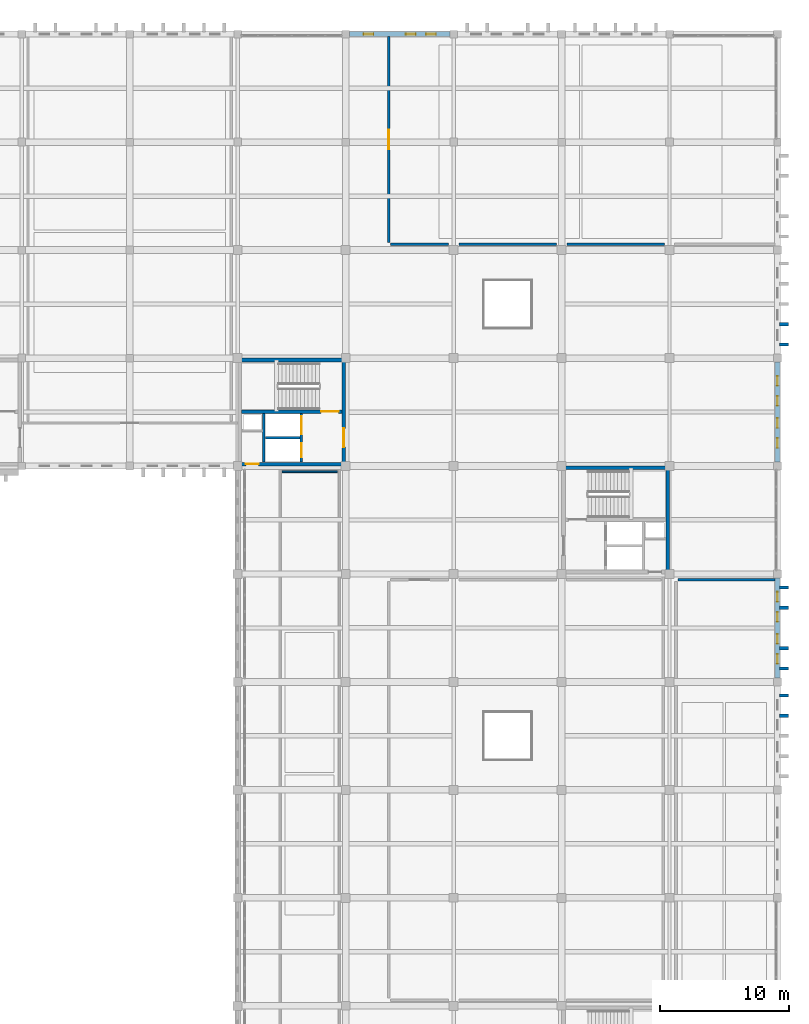
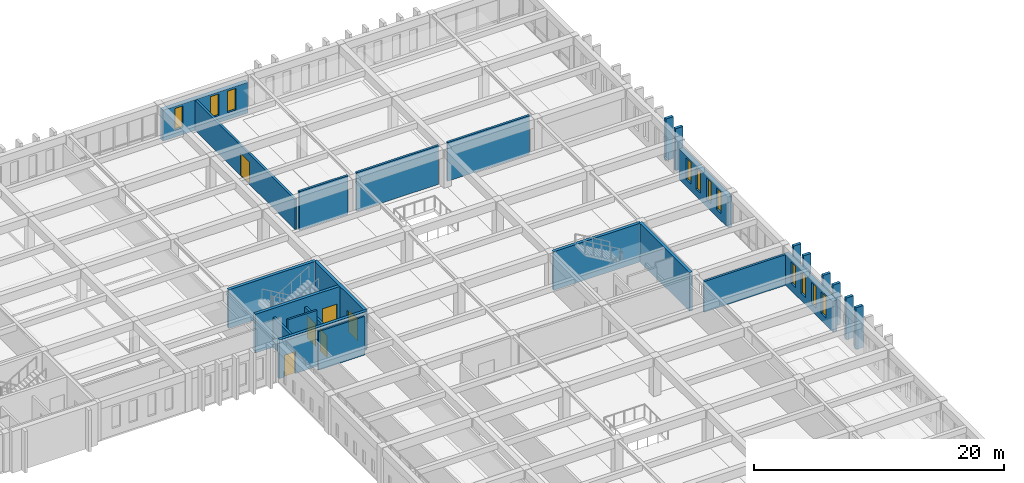
# One storey, part 99 of 110: 26 walls, 11 windows, 6 doors, 17 openings.
"""IFC4 building model written with IfcOpenShell, lengths in metres."""

from ifc_helpers import new_model, si_unit, direction, frame, frame_2d, origin, place, context, subcontext, project, spatial, rectangle, extrude, material, layer, layer_set, type_object, element, fill, save


model = new_model("IFC4")

# Units and contexts
model_context = context("Model", 3, precision=1e-05, world=origin(), true_north=direction((0.0, 1.0)))
body_context = subcontext(model_context, "Body", "Model", "MODEL_VIEW")
ifc_project = project(units=[si_unit("LENGTHUNIT", "METRE"), si_unit("AREAUNIT", "SQUARE_METRE"), si_unit("VOLUMEUNIT", "CUBIC_METRE"), si_unit("PLANEANGLEUNIT", "RADIAN"), si_unit("MASSUNIT", "GRAM", prefix="KILO")], contexts=[model_context])

# Site, building, storey
site_placement = place(None, origin())
site = spatial("IfcSite", under=ifc_project, at=site_placement, CompositionType="ELEMENT")
building_placement = place(site_placement, origin())
building = spatial("IfcBuilding", under=site, at=building_placement, Name="Kveldsbrygga Polytechnic", CompositionType="ELEMENT")
storey_placement = place(building_placement, frame((0.0, 0.0, 9.860107421875)))
storey = spatial("IfcBuildingStorey", under=building, at=storey_placement, Name="L02", CompositionType="ELEMENT", Elevation=9.860107421875)

# Wall, openings, windows
ifc_material_1 = material(Name="Fired clay brick masonry M10", Category="masonry")
ifc_layer_1 = layer(ifc_material_1, 0.39990234375)
ifc_layer_set_1 = layer_set([ifc_layer_1], Name="Fired clay brick masonry M10")
wall_type_1 = type_object("IfcWallType", Name="EW-BRICK-400", PredefinedType="SOLIDWALL", material=ifc_layer_set_1)
wall_1_placement = place(storey_placement, frame((134.68505859375, 117.60009765625, 0.0), z_axis=(0.0, 0.0, 1.0), x_axis=(1.0, 0.0, 0.0)))
wall_1 = element("IfcWall", 1, at=wall_1_placement, inside=storey, type_object=wall_type_1, Name="Exterior Brick Wall EW-L02-X-16-14", PredefinedType="SOLIDWALL", context=body_context, shape_type="SweptSolid", body=[
    extrude(rectangle(XDim=7.83984375, YDim=0.39990234375, at=frame_2d((3.919921875, 0.0))), origin(), (0.0, 0.0, 1.0), 3.010009765625),
])
opening_1_placement = place(wall_1_placement, frame((1.114501953125, 0.0, 0.699951171875)))
opening_1 = element("IfcOpeningElement", 2, at=opening_1_placement, cuts=wall_1, Name="Opening W-27", PredefinedType="OPENING", context=body_context, shape_type="SweptSolid", body=[
    extrude(rectangle(XDim=0.75, YDim=2.10009765625, at=frame_2d((0.375, 1.050048828125))), frame((0.0, 0.2099609375, 0.0), z_axis=(0.0, -1.0, 0.0), x_axis=(1.0, 0.0, 0.0)), (0.0, 0.0, 1.0), 0.419921875),
])
opening_2_placement = place(wall_1_placement, frame((4.407470703125, 0.0, 0.699951171875)))
opening_2 = element("IfcOpeningElement", 3, at=opening_2_placement, cuts=wall_1, Name="Opening W-27", PredefinedType="OPENING", context=body_context, shape_type="SweptSolid", body=[
    extrude(rectangle(XDim=0.75, YDim=2.10009765625, at=frame_2d((0.375, 1.050048828125))), frame((0.0, 0.2099609375, 0.0), z_axis=(0.0, -1.0, 0.0), x_axis=(1.0, 0.0, 0.0)), (0.0, 0.0, 1.0), 0.419921875),
])
opening_3_placement = place(wall_1_placement, frame((5.975341796875, 0.0, 0.699951171875)))
opening_3 = element("IfcOpeningElement", 4, at=opening_3_placement, cuts=wall_1, Name="Opening W-27", PredefinedType="OPENING", context=body_context, shape_type="SweptSolid", body=[
    extrude(rectangle(XDim=0.75, YDim=2.10009765625, at=frame_2d((0.375, 1.050048828125))), frame((0.0, 0.2099609375, 0.0), z_axis=(0.0, -1.0, 0.0), x_axis=(1.0, 0.0, 0.0)), (0.0, 0.0, 1.0), 0.419921875),
])
ifc_material_2 = material(Name="Insulated triple low-E glass", Category="glass")
window_type = type_object("IfcWindowType", Name="WN-ATTIC-075x210", PartitioningType="DOUBLE_PANEL_VERTICAL", PredefinedType="WINDOW", material=ifc_material_2)
window_1_placement = place(opening_1_placement, origin())
window_1 = element("IfcWindow", 5, at=window_1_placement, inside=storey, type_object=window_type, Name="Gothic Lancet Window WIN-L02-X-16-14-1", OverallHeight=2.10009765625, OverallWidth=0.75, PartitioningType="DOUBLE_PANEL_VERTICAL", PredefinedType="WINDOW", context=body_context, shape_type="SweptSolid", body=[
    extrude(rectangle(XDim=0.75, YDim=2.10009765625, at=frame_2d((0.375, 1.050048828125))), frame((0.0, 0.030029296875, 0.0), z_axis=(0.0, -1.0, 0.0), x_axis=(1.0, 0.0, 0.0)), (0.0, 0.0, 1.0), 0.06005859375),
])
fill(opening_1, window_1)
window_2_placement = place(opening_2_placement, origin())
window_2 = element("IfcWindow", 6, at=window_2_placement, inside=storey, type_object=window_type, Name="Gothic Lancet Window WIN-L02-X-16-14-3", OverallHeight=2.10009765625, OverallWidth=0.75, PartitioningType="DOUBLE_PANEL_VERTICAL", PredefinedType="WINDOW", context=body_context, shape_type="SweptSolid", body=[
    extrude(rectangle(XDim=0.75, YDim=2.10009765625, at=frame_2d((0.375, 1.050048828125))), frame((0.0, 0.030029296875, 0.0), z_axis=(0.0, -1.0, 0.0), x_axis=(1.0, 0.0, 0.0)), (0.0, 0.0, 1.0), 0.06005859375),
])
fill(opening_2, window_2)
window_3_placement = place(opening_3_placement, origin())
window_3 = element("IfcWindow", 7, at=window_3_placement, inside=storey, type_object=window_type, Name="Gothic Lancet Window WIN-L02-X-16-14-4", OverallHeight=2.10009765625, OverallWidth=0.75, PartitioningType="DOUBLE_PANEL_VERTICAL", PredefinedType="WINDOW", context=body_context, shape_type="SweptSolid", body=[
    extrude(rectangle(XDim=0.75, YDim=2.10009765625, at=frame_2d((0.375, 1.050048828125))), frame((0.0, 0.030029296875, 0.0), z_axis=(0.0, -1.0, 0.0), x_axis=(1.0, 0.0, 0.0)), (0.0, 0.0, 1.0), 0.06005859375),
])
fill(opening_3, window_3)

wall_2_placement = place(storey_placement, frame((168.0, 67.510009765625, 0.0), z_axis=(0.0, 0.0, 1.0), x_axis=(0.0, 1.0, 0.0)))
wall_2 = element("IfcWall", 8, at=wall_2_placement, inside=storey, type_object=wall_type_1, Name="Exterior Brick Wall EW-L02-Y-20-08", PredefinedType="SOLIDWALL", context=body_context, shape_type="SweptSolid", body=[
    extrude(rectangle(XDim=7.794921875, YDim=0.39990234375, at=frame_2d((3.8974609375, 0.0))), origin(), (0.0, 0.0, 1.0), 3.0),
])
opening_4_placement = place(wall_2_placement, frame((1.10595703125, 0.0, 0.699951171875)))
opening_4 = element("IfcOpeningElement", 9, at=opening_4_placement, cuts=wall_2, Name="Opening W-27", PredefinedType="OPENING", context=body_context, shape_type="SweptSolid", body=[
    extrude(rectangle(XDim=0.75, YDim=2.10009765625, at=frame_2d((0.375, 1.050048828125))), frame((0.0, 0.2099609375, 0.0), z_axis=(0.0, -1.0, 0.0), x_axis=(1.0, 0.0, 0.0)), (0.0, 0.0, 1.0), 0.419921875),
])
opening_5_placement = place(wall_2_placement, frame((2.6650390625, 0.0, 0.699951171875)))
opening_5 = element("IfcOpeningElement", 10, at=opening_5_placement, cuts=wall_2, Name="Opening W-27", PredefinedType="OPENING", context=body_context, shape_type="SweptSolid", body=[
    extrude(rectangle(XDim=0.75, YDim=2.10009765625, at=frame_2d((0.375, 1.050048828125))), frame((0.0, 0.2099609375, 0.0), z_axis=(0.0, -1.0, 0.0), x_axis=(1.0, 0.0, 0.0)), (0.0, 0.0, 1.0), 0.419921875),
])
opening_6_placement = place(wall_2_placement, frame((4.3798828125, 0.0, 0.699951171875)))
opening_6 = element("IfcOpeningElement", 11, at=opening_6_placement, cuts=wall_2, Name="Opening W-27", PredefinedType="OPENING", context=body_context, shape_type="SweptSolid", body=[
    extrude(rectangle(XDim=0.75, YDim=2.10009765625, at=frame_2d((0.375, 1.050048828125))), frame((0.0, 0.2099609375, 0.0), z_axis=(0.0, -1.0, 0.0), x_axis=(1.0, 0.0, 0.0)), (0.0, 0.0, 1.0), 0.419921875),
])
opening_7_placement = place(wall_2_placement, frame((5.93896484375, 0.0, 0.699951171875)))
opening_7 = element("IfcOpeningElement", 12, at=opening_7_placement, cuts=wall_2, Name="Opening W-27", PredefinedType="OPENING", context=body_context, shape_type="SweptSolid", body=[
    extrude(rectangle(XDim=0.75, YDim=2.10009765625, at=frame_2d((0.375, 1.050048828125))), frame((0.0, 0.2099609375, 0.0), z_axis=(0.0, -1.0, 0.0), x_axis=(1.0, 0.0, 0.0)), (0.0, 0.0, 1.0), 0.419921875),
])
window_4_placement = place(opening_4_placement, origin())
window_4 = element("IfcWindow", 13, at=window_4_placement, inside=storey, type_object=window_type, Name="Gothic Lancet Window WIN-L02-Y-20-08-1", OverallHeight=2.10009765625, OverallWidth=0.75, PartitioningType="DOUBLE_PANEL_VERTICAL", PredefinedType="WINDOW", context=body_context, shape_type="SweptSolid", body=[
    extrude(rectangle(XDim=0.75, YDim=2.10009765625, at=frame_2d((0.375, 1.050048828125))), frame((0.0, 0.030029296875, 0.0), z_axis=(0.0, -1.0, 0.0), x_axis=(1.0, 0.0, 0.0)), (0.0, 0.0, 1.0), 0.06005859375),
])
fill(opening_4, window_4)
window_5_placement = place(opening_5_placement, origin())
window_5 = element("IfcWindow", 14, at=window_5_placement, inside=storey, type_object=window_type, Name="Gothic Lancet Window WIN-L02-Y-20-08-2", OverallHeight=2.10009765625, OverallWidth=0.75, PartitioningType="DOUBLE_PANEL_VERTICAL", PredefinedType="WINDOW", context=body_context, shape_type="SweptSolid", body=[
    extrude(rectangle(XDim=0.75, YDim=2.10009765625, at=frame_2d((0.375, 1.050048828125))), frame((0.0, 0.030029296875, 0.0), z_axis=(0.0, -1.0, 0.0), x_axis=(1.0, 0.0, 0.0)), (0.0, 0.0, 1.0), 0.06005859375),
])
fill(opening_5, window_5)
window_6_placement = place(opening_6_placement, origin())
window_6 = element("IfcWindow", 15, at=window_6_placement, inside=storey, type_object=window_type, Name="Gothic Lancet Window WIN-L02-Y-20-08-3", OverallHeight=2.10009765625, OverallWidth=0.75, PartitioningType="DOUBLE_PANEL_VERTICAL", PredefinedType="WINDOW", context=body_context, shape_type="SweptSolid", body=[
    extrude(rectangle(XDim=0.75, YDim=2.10009765625, at=frame_2d((0.375, 1.050048828125))), frame((0.0, 0.030029296875, 0.0), z_axis=(0.0, -1.0, 0.0), x_axis=(1.0, 0.0, 0.0)), (0.0, 0.0, 1.0), 0.06005859375),
])
fill(opening_6, window_6)
window_7_placement = place(opening_7_placement, origin())
window_7 = element("IfcWindow", 16, at=window_7_placement, inside=storey, type_object=window_type, Name="Gothic Lancet Window WIN-L02-Y-20-08-4", OverallHeight=2.10009765625, OverallWidth=0.75, PartitioningType="DOUBLE_PANEL_VERTICAL", PredefinedType="WINDOW", context=body_context, shape_type="SweptSolid", body=[
    extrude(rectangle(XDim=0.75, YDim=2.10009765625, at=frame_2d((0.375, 1.050048828125))), frame((0.0, 0.030029296875, 0.0), z_axis=(0.0, -1.0, 0.0), x_axis=(1.0, 0.0, 0.0)), (0.0, 0.0, 1.0), 0.06005859375),
])
fill(opening_7, window_7)

wall_3_placement = place(storey_placement, frame((168.0, 84.31005859375, 0.0), z_axis=(0.0, 0.0, 1.0), x_axis=(0.0, 1.0, 0.0)))
wall_3 = element("IfcWall", 17, at=wall_3_placement, inside=storey, type_object=wall_type_1, Name="Exterior Brick Wall EW-L02-Y-20-10", PredefinedType="SOLIDWALL", context=body_context, shape_type="SweptSolid", body=[
    extrude(rectangle(XDim=7.794921875, YDim=0.39990234375, at=frame_2d((3.8974609375, 0.0))), origin(), (0.0, 0.0, 1.0), 3.0),
])
opening_8_placement = place(wall_3_placement, frame((1.10595703125, 0.0, 0.699951171875)))
opening_8 = element("IfcOpeningElement", 18, at=opening_8_placement, cuts=wall_3, Name="Opening W-27", PredefinedType="OPENING", context=body_context, shape_type="SweptSolid", body=[
    extrude(rectangle(XDim=0.75, YDim=2.10009765625, at=frame_2d((0.375, 1.050048828125))), frame((0.0, 0.2099609375, 0.0), z_axis=(0.0, -1.0, 0.0), x_axis=(1.0, 0.0, 0.0)), (0.0, 0.0, 1.0), 0.419921875),
])
opening_9_placement = place(wall_3_placement, frame((2.6650390625, 0.0, 0.699951171875)))
opening_9 = element("IfcOpeningElement", 19, at=opening_9_placement, cuts=wall_3, Name="Opening W-27", PredefinedType="OPENING", context=body_context, shape_type="SweptSolid", body=[
    extrude(rectangle(XDim=0.75, YDim=2.10009765625, at=frame_2d((0.375, 1.050048828125))), frame((0.0, 0.2099609375, 0.0), z_axis=(0.0, -1.0, 0.0), x_axis=(1.0, 0.0, 0.0)), (0.0, 0.0, 1.0), 0.419921875),
])
opening_10_placement = place(wall_3_placement, frame((4.3798828125, 0.0, 0.699951171875)))
opening_10 = element("IfcOpeningElement", 20, at=opening_10_placement, cuts=wall_3, Name="Opening W-27", PredefinedType="OPENING", context=body_context, shape_type="SweptSolid", body=[
    extrude(rectangle(XDim=0.75, YDim=2.10009765625, at=frame_2d((0.375, 1.050048828125))), frame((0.0, 0.2099609375, 0.0), z_axis=(0.0, -1.0, 0.0), x_axis=(1.0, 0.0, 0.0)), (0.0, 0.0, 1.0), 0.419921875),
])
opening_11_placement = place(wall_3_placement, frame((5.93896484375, 0.0, 0.699951171875)))
opening_11 = element("IfcOpeningElement", 21, at=opening_11_placement, cuts=wall_3, Name="Opening W-27", PredefinedType="OPENING", context=body_context, shape_type="SweptSolid", body=[
    extrude(rectangle(XDim=0.75, YDim=2.10009765625, at=frame_2d((0.375, 1.050048828125))), frame((0.0, 0.2099609375, 0.0), z_axis=(0.0, -1.0, 0.0), x_axis=(1.0, 0.0, 0.0)), (0.0, 0.0, 1.0), 0.419921875),
])
window_8_placement = place(opening_8_placement, origin())
window_8 = element("IfcWindow", 22, at=window_8_placement, inside=storey, type_object=window_type, Name="Gothic Lancet Window WIN-L02-Y-20-10-1", OverallHeight=2.10009765625, OverallWidth=0.75, PartitioningType="DOUBLE_PANEL_VERTICAL", PredefinedType="WINDOW", context=body_context, shape_type="SweptSolid", body=[
    extrude(rectangle(XDim=0.75, YDim=2.10009765625, at=frame_2d((0.375, 1.050048828125))), frame((0.0, 0.030029296875, 0.0), z_axis=(0.0, -1.0, 0.0), x_axis=(1.0, 0.0, 0.0)), (0.0, 0.0, 1.0), 0.06005859375),
])
fill(opening_8, window_8)
window_9_placement = place(opening_9_placement, origin())
window_9 = element("IfcWindow", 23, at=window_9_placement, inside=storey, type_object=window_type, Name="Gothic Lancet Window WIN-L02-Y-20-10-2", OverallHeight=2.10009765625, OverallWidth=0.75, PartitioningType="DOUBLE_PANEL_VERTICAL", PredefinedType="WINDOW", context=body_context, shape_type="SweptSolid", body=[
    extrude(rectangle(XDim=0.75, YDim=2.10009765625, at=frame_2d((0.375, 1.050048828125))), frame((0.0, 0.030029296875, 0.0), z_axis=(0.0, -1.0, 0.0), x_axis=(1.0, 0.0, 0.0)), (0.0, 0.0, 1.0), 0.06005859375),
])
fill(opening_9, window_9)
window_10_placement = place(opening_10_placement, origin())
window_10 = element("IfcWindow", 24, at=window_10_placement, inside=storey, type_object=window_type, Name="Gothic Lancet Window WIN-L02-Y-20-10-3", OverallHeight=2.10009765625, OverallWidth=0.75, PartitioningType="DOUBLE_PANEL_VERTICAL", PredefinedType="WINDOW", context=body_context, shape_type="SweptSolid", body=[
    extrude(rectangle(XDim=0.75, YDim=2.10009765625, at=frame_2d((0.375, 1.050048828125))), frame((0.0, 0.030029296875, 0.0), z_axis=(0.0, -1.0, 0.0), x_axis=(1.0, 0.0, 0.0)), (0.0, 0.0, 1.0), 0.06005859375),
])
fill(opening_10, window_10)
window_11_placement = place(opening_11_placement, origin())
window_11 = element("IfcWindow", 25, at=window_11_placement, inside=storey, type_object=window_type, Name="Gothic Lancet Window WIN-L02-Y-20-10-4", OverallHeight=2.10009765625, OverallWidth=0.75, PartitioningType="DOUBLE_PANEL_VERTICAL", PredefinedType="WINDOW", context=body_context, shape_type="SweptSolid", body=[
    extrude(rectangle(XDim=0.75, YDim=2.10009765625, at=frame_2d((0.375, 1.050048828125))), frame((0.0, 0.030029296875, 0.0), z_axis=(0.0, -1.0, 0.0), x_axis=(1.0, 0.0, 0.0)), (0.0, 0.0, 1.0), 0.06005859375),
])
fill(opening_11, window_11)

# Walls
ifc_layer_2 = layer(ifc_material_1, 0.260009765625)
ifc_layer_set_2 = layer_set([ifc_layer_2], Name="Fired clay brick masonry M10")
wall_type_2 = type_object("IfcWallType", Name="EW-BUTT-260", PredefinedType="SOLIDWALL", material=ifc_layer_set_2)
for number, where, z_axis, x_axis, name in (
    (26, (168.1650390625, 64.580078125, 0.0), (0.0, 0.0, 1.0), (1.0, 0.0, 0.0), "Gothic Brick Buttress Pier BUTT-L02-Y-20-07-4"),
    (27, (168.1650390625, 66.14990234375, 0.0), (0.0, 0.0, 1.0), (1.0, 0.0, 0.0), "Gothic Brick Buttress Pier BUTT-L02-Y-20-07-5"),
    (28, (168.1650390625, 68.25, 0.0), (0.0, 0.0, 1.0), (1.0, 0.0, 0.0), "Gothic Brick Buttress Pier BUTT-L02-Y-20-08-1"),
    (29, (168.1650390625, 69.820068359375, 0.0), (0.0, 0.0, 1.0), (1.0, 0.0, 0.0), "Gothic Brick Buttress Pier BUTT-L02-Y-20-08-2"),
    (30, (168.1650390625, 72.97998046875, 0.0), (0.0, 0.0, 1.0), (1.0, 0.0, 0.0), "Gothic Brick Buttress Pier BUTT-L02-Y-20-08-4"),
    (31, (168.1650390625, 74.550048828125, 0.0), (0.0, 0.0, 1.0), (1.0, 0.0, 0.0), "Gothic Brick Buttress Pier BUTT-L02-Y-20-08-5"),
    (32, (168.1650390625, 93.449951171875, 0.0), (0.0, 0.0, 1.0), (1.0, 0.0, 0.0), "Gothic Brick Buttress Pier BUTT-L02-Y-20-11-1"),
    (33, (168.1650390625, 95.02001953125, 0.0), (0.0, 0.0, 1.0), (1.0, 0.0, 0.0), "Gothic Brick Buttress Pier BUTT-L02-Y-20-11-2"),
):
    element("IfcWall", number, at=place(storey_placement, frame(where, z_axis=z_axis, x_axis=x_axis)), inside=storey, type_object=wall_type_2, Name=name, PredefinedType="SOLIDWALL", context=body_context, shape_type="SweptSolid", body=[
        extrude(rectangle(XDim=0.699951171875, YDim=0.260009765625, at=frame_2d((0.35009765625, 0.0))), origin(), (0.0, 0.0, 1.0), 4.079833984375),
    ])
ifc_layer_3 = layer(ifc_material_1, 0.199951171875)
ifc_layer_set_3 = layer_set([ifc_layer_3], Name="Fired clay brick masonry M10")
wall_type_3 = type_object("IfcWallType", Name="IW-LAB-200", PredefinedType="PARTITIONING", material=ifc_layer_set_3)
wall_4_placement = place(storey_placement, frame((160.25, 75.14990234375, 0.0), z_axis=(0.0, 0.0, 1.0), x_axis=(1.0, 0.0, 0.0)))
element("IfcWall", 34, at=wall_4_placement, inside=storey, type_object=wall_type_3, Name="Partition Wall IW-SP-L02-LAB21-N1", PredefinedType="PARTITIONING", context=body_context, shape_type="SweptSolid", body=[
    extrude(rectangle(XDim=7.570068359375, YDim=0.199951171875, at=frame_2d((3.78515625, 0.0))), origin(), (0.0, 0.0, 1.0), 3.0),
])

# Wall, opening, door
wall_5_placement = place(storey_placement, frame((137.75, 101.39990234375, 0.0), z_axis=(0.0, 0.0, 1.0), x_axis=(0.0, 1.0, 0.0)))
wall_5 = element("IfcWall", 35, at=wall_5_placement, inside=storey, type_object=wall_type_3, Name="Partition Wall IW-SP-L02-LAB22-W1", PredefinedType="PARTITIONING", context=body_context, shape_type="SweptSolid", body=[
    extrude(rectangle(XDim=16.02001953125, YDim=0.199951171875, at=frame_2d((8.010009765625, 0.0))), origin(), (0.0, 0.0, 1.0), 2.949951171875),
])
opening_12_placement = place(wall_5_placement, frame((7.260009765625, 0.0, 0.0)))
opening_12 = element("IfcOpeningElement", 36, at=opening_12_placement, cuts=wall_5, Name="Opening ID-L02-069", PredefinedType="OPENING", context=body_context, shape_type="SweptSolid", body=[
    extrude(rectangle(XDim=1.5, YDim=2.199951171875, at=frame_2d((0.75, 1.10009765625))), frame((0.0, 0.10986328125, 0.0), z_axis=(0.0, -1.0, 0.0), x_axis=(1.0, 0.0, 0.0)), (0.0, 0.0, 1.0), 0.219970703125),
])
ifc_material_3 = material(Name="Acoustic oak timber", Category="wood")
door_type_1 = type_object("IfcDoorType", Name="ID-LAB-150x220", OperationType="DOUBLE_DOOR_SINGLE_SWING", PredefinedType="DOOR", material=ifc_material_3)
door_1_placement = place(opening_12_placement, origin())
door_1 = element("IfcDoor", 37, at=door_1_placement, inside=storey, type_object=door_type_1, Name="Interior Door ID-L02-069", OperationType="DOUBLE_DOOR_SINGLE_SWING", OverallHeight=2.199951171875, OverallWidth=1.5, PredefinedType="DOOR", context=body_context, shape_type="SweptSolid", body=[
    extrude(rectangle(XDim=1.5, YDim=2.199951171875, at=frame_2d((0.75, 1.10009765625))), frame((0.0, 0.02490234375, 0.0), z_axis=(0.0, -1.0, 0.0), x_axis=(1.0, 0.0, 0.0)), (0.0, 0.0, 1.0), 0.050048828125),
])
fill(opening_12, door_1)

# Walls
wall_6_placement = place(storey_placement, frame((137.89990234375, 101.25, 0.0), z_axis=(0.0, 0.0, 1.0), x_axis=(1.0, 0.0, 0.0)))
element("IfcWall", 38, at=wall_6_placement, inside=storey, type_object=wall_type_3, Name="Partition Wall IW-SP-L02-LAB22-S1", PredefinedType="PARTITIONING", context=body_context, shape_type="SweptSolid", body=[
    extrude(rectangle(XDim=4.5, YDim=0.199951171875, at=frame_2d((2.25, 0.0))), origin(), (0.0, 0.0, 1.0), 3.77978515625),
])
wall_7_placement = place(storey_placement, frame((143.199951171875, 101.25, 0.0), z_axis=(0.0, 0.0, 1.0), x_axis=(1.0, 0.0, 0.0)))
element("IfcWall", 39, at=wall_7_placement, inside=storey, type_object=wall_type_3, Name="Partition Wall IW-SP-L02-LAB22-S2", PredefinedType="PARTITIONING", context=body_context, shape_type="SweptSolid", body=[
    extrude(rectangle(XDim=7.590087890625, YDim=0.199951171875, at=frame_2d((3.794921875, 0.0))), origin(), (0.0, 0.0, 1.0), 3.77978515625),
])
wall_8_placement = place(storey_placement, frame((151.610107421875, 101.25, 0.0), z_axis=(0.0, 0.0, 1.0), x_axis=(1.0, 0.0, 0.0)))
element("IfcWall", 40, at=wall_8_placement, inside=storey, type_object=wall_type_3, Name="Partition Wall IW-SP-L02-LAB22-S3", PredefinedType="PARTITIONING", context=body_context, shape_type="SweptSolid", body=[
    extrude(rectangle(XDim=7.58984375, YDim=0.199951171875, at=frame_2d((3.794921875, 0.0))), origin(), (0.0, 0.0, 1.0), 3.77978515625),
])
ifc_material_4 = material(Name="Gypsum acoustic stud partition")
ifc_layer_4 = layer(ifc_material_4, 0.14990234375)
ifc_layer_set_4 = layer_set([ifc_layer_4], Name="Gypsum acoustic stud partition")
wall_type_4 = type_object("IfcWallType", Name="IW-SEM-150", PredefinedType="PARTITIONING", material=ifc_layer_set_4)
wall_9_placement = place(storey_placement, frame((129.449951171875, 83.550048828125, 0.0), z_axis=(0.0, 0.0, 1.0), x_axis=(1.0, 0.0, 0.0)))
element("IfcWall", 41, at=wall_9_placement, inside=storey, type_object=wall_type_4, Name="Partition Wall IW-SP-L02-SEM22-N1", PredefinedType="PARTITIONING", context=body_context, shape_type="SweptSolid", body=[
    extrude(rectangle(XDim=4.300048828125, YDim=0.14990234375, at=frame_2d((2.14990234375, 0.0))), origin(), (0.0, 0.0, 1.0), 3.77978515625),
])

# Wall, opening, door
ifc_material_5 = material(Name="Concrete C45/55", Category="concrete")
ifc_layer_5 = layer(ifc_material_5, 0.280029296875)
ifc_layer_set_5 = layer_set([ifc_layer_5], Name="Concrete C45/55")
wall_type_5 = type_object("IfcWallType", Name="WL-CORE-280", PredefinedType="SHEAR", material=ifc_layer_set_5)
wall_10_placement = place(storey_placement, frame((126.14990234375, 84.14990234375, 0.0), z_axis=(0.0, 0.0, 1.0), x_axis=(1.0, 0.0, 0.0)))
wall_10 = element("IfcWall", 42, at=wall_10_placement, inside=storey, type_object=wall_type_5, Name="Core C2 Shear Wall C2-L02-SW-S", PredefinedType="SHEAR", context=body_context, shape_type="SweptSolid", body=[
    extrude(rectangle(XDim=8.10009765625, YDim=0.280029296875, at=frame_2d((4.050048828125, 0.0))), origin(), (0.0, 0.0, 1.0), 3.77978515625),
])
opening_13_placement = place(wall_10_placement, frame((0.485107421875, 0.0, 0.0)))
opening_13 = element("IfcOpeningElement", 43, at=opening_13_placement, cuts=wall_10, Name="Opening ID-C2-L02-AWC", PredefinedType="OPENING", context=body_context, shape_type="SweptSolid", body=[
    extrude(rectangle(XDim=1.0, YDim=2.14990234375, at=frame_2d((0.5, 1.074951171875))), frame((0.0, 0.14990234375, 0.0), z_axis=(0.0, -1.0, 0.0), x_axis=(1.0, 0.0, 0.0)), (0.0, 0.0, 1.0), 0.300048828125),
])
door_type_2 = type_object("IfcDoorType", Name="ID-AWC-100x215", OperationType="NOTDEFINED", PredefinedType="DOOR", material=ifc_material_3)
door_2_placement = place(opening_13_placement, origin())
door_2 = element("IfcDoor", 44, at=door_2_placement, inside=storey, type_object=door_type_2, Name="Accessible WC Door ID-C2-L02-AWC", OperationType="SINGLE_SWING_RIGHT", OverallHeight=2.14990234375, OverallWidth=1.0, PredefinedType="DOOR", context=body_context, shape_type="SweptSolid", body=[
    extrude(rectangle(XDim=1.0, YDim=2.14990234375, at=frame_2d((0.5, 1.074951171875))), frame((0.0, 0.02490234375, 0.0), z_axis=(0.0, -1.0, 0.0), x_axis=(1.0, 0.0, 0.0)), (0.0, 0.0, 1.0), 0.050048828125),
])
fill(opening_13, door_2)

# Wall
wall_11_placement = place(storey_placement, frame((126.14990234375, 92.25, 0.0), z_axis=(0.0, 0.0, 1.0), x_axis=(1.0, 0.0, 0.0)))
element("IfcWall", 45, at=wall_11_placement, inside=storey, type_object=wall_type_5, Name="Core C2 Shear Wall C2-L02-SW-N", PredefinedType="SHEAR", context=body_context, shape_type="SweptSolid", body=[
    extrude(rectangle(XDim=8.10009765625, YDim=0.280029296875, at=frame_2d((4.050048828125, 0.0))), origin(), (0.0, 0.0, 1.0), 3.77978515625),
])

# Wall, opening, door
wall_12_placement = place(storey_placement, frame((134.25, 84.14990234375, 0.0), z_axis=(0.0, 0.0, 1.0), x_axis=(0.0, 1.0, 0.0)))
wall_12 = element("IfcWall", 46, at=wall_12_placement, inside=storey, type_object=wall_type_5, Name="Core C2 Shear Wall C2-L02-SW-E", PredefinedType="SHEAR", context=body_context, shape_type="SweptSolid", body=[
    extrude(rectangle(XDim=8.10009765625, YDim=0.280029296875, at=frame_2d((4.050048828125, 0.0))), origin(), (0.0, 0.0, 1.0), 3.77978515625),
])
opening_14_placement = place(wall_12_placement, frame((1.324951171875, 0.0, 0.0)))
opening_14 = element("IfcOpeningElement", 47, at=opening_14_placement, cuts=wall_12, Name="Opening FD-C2-L02-LOB", PredefinedType="OPENING", context=body_context, shape_type="SweptSolid", body=[
    extrude(rectangle(XDim=1.449951171875, YDim=2.14990234375, at=frame_2d((0.72509765625, 1.074951171875))), frame((0.0, 0.14990234375, 0.0), z_axis=(0.0, -1.0, 0.0), x_axis=(1.0, 0.0, 0.0)), (0.0, 0.0, 1.0), 0.300048828125),
])
ifc_material_6 = material(Name="Powder-coated galvanised steel", Category="steel")
door_type_3 = type_object("IfcDoorType", Name="ID-LOBBY-145x215", OperationType="DOUBLE_DOOR_SINGLE_SWING", PredefinedType="DOOR", material=ifc_material_6)
door_3_placement = place(opening_14_placement, origin())
door_3 = element("IfcDoor", 48, at=door_3_placement, inside=storey, type_object=door_type_3, Name="Core Lobby Fire Door FD-C2-L02-LOB", OperationType="DOUBLE_DOOR_SINGLE_SWING", OverallHeight=2.14990234375, OverallWidth=1.449951171875, PredefinedType="DOOR", context=body_context, shape_type="SweptSolid", body=[
    extrude(rectangle(XDim=1.449951171875, YDim=2.14990234375, at=frame_2d((0.72509765625, 1.074951171875))), frame((0.0, 0.02490234375, 0.0), z_axis=(0.0, -1.0, 0.0), x_axis=(1.0, 0.0, 0.0)), (0.0, 0.0, 1.0), 0.050048828125),
])
fill(opening_14, door_3)

wall_13_placement = place(storey_placement, frame((126.300048828125, 88.22998046875, 0.0), z_axis=(0.0, 0.0, 1.0), x_axis=(1.0, 0.0, 0.0)))
wall_13 = element("IfcWall", 49, at=wall_13_placement, inside=storey, type_object=wall_type_5, Name="Core C2 Shear Wall C2-L02-W-DIV", PredefinedType="SHEAR", context=body_context, shape_type="SweptSolid", body=[
    extrude(rectangle(XDim=7.800048828125, YDim=0.280029296875, at=frame_2d((3.89990234375, 0.0))), origin(), (0.0, 0.0, 1.0), 3.77978515625),
])
opening_15_placement = place(wall_13_placement, frame((6.199951171875, 0.0, 0.0)))
opening_15 = element("IfcOpeningElement", 50, at=opening_15_placement, cuts=wall_13, Name="Opening FD-C2-L02-ST", PredefinedType="OPENING", context=body_context, shape_type="SweptSolid", body=[
    extrude(rectangle(XDim=1.35009765625, YDim=2.14990234375, at=frame_2d((0.675048828125, 1.074951171875))), frame((0.0, 0.14990234375, 0.0), z_axis=(0.0, -1.0, 0.0), x_axis=(1.0, 0.0, 0.0)), (0.0, 0.0, 1.0), 0.300048828125),
])
door_type_4 = type_object("IfcDoorType", Name="ID-STAIR-135x215", OperationType="NOTDEFINED", PredefinedType="DOOR", material=ifc_material_6)
door_4_placement = place(opening_15_placement, origin())
door_4 = element("IfcDoor", 51, at=door_4_placement, inside=storey, type_object=door_type_4, Name="Stair Fire Door FD-C2-L02-ST", OperationType="SINGLE_SWING_LEFT", OverallHeight=2.14990234375, OverallWidth=1.35009765625, PredefinedType="DOOR", context=body_context, shape_type="SweptSolid", body=[
    extrude(rectangle(XDim=1.35009765625, YDim=2.14990234375, at=frame_2d((0.675048828125, 1.074951171875))), frame((0.0, 0.02490234375, 0.0), z_axis=(0.0, -1.0, 0.0), x_axis=(1.0, 0.0, 0.0)), (0.0, 0.0, 1.0), 0.050048828125),
])
fill(opening_15, door_4)

# Walls
wall_14_placement = place(storey_placement, frame((151.35009765625, 83.85009765625, 0.0), z_axis=(0.0, 0.0, 1.0), x_axis=(1.0, 0.0, 0.0)))
element("IfcWall", 52, at=wall_14_placement, inside=storey, type_object=wall_type_5, Name="Core C4 Shear Wall C4-L02-SW-N", PredefinedType="SHEAR", context=body_context, shape_type="SweptSolid", body=[
    extrude(rectangle(XDim=8.099853515625, YDim=0.280029296875, at=frame_2d((4.0498046875, 0.0))), origin(), (0.0, 0.0, 1.0), 3.77978515625),
])
wall_15_placement = place(storey_placement, frame((159.449951171875, 75.75, 0.0), z_axis=(0.0, 0.0, 1.0), x_axis=(0.0, 1.0, 0.0)))
element("IfcWall", 53, at=wall_15_placement, inside=storey, type_object=wall_type_5, Name="Core C4 Shear Wall C4-L02-SW-E", PredefinedType="SHEAR", context=body_context, shape_type="SweptSolid", body=[
    extrude(rectangle(XDim=8.10009765625, YDim=0.280029296875, at=frame_2d((4.050048828125, 0.0))), origin(), (0.0, 0.0, 1.0), 3.77978515625),
])
ifc_material_7 = material(Name="Concrete C35/45", Category="concrete")
ifc_layer_6 = layer(ifc_material_7, 0.179931640625)
ifc_layer_set_6 = layer_set([ifc_layer_6], Name="Concrete C35/45")
wall_type_6 = type_object("IfcWallType", Name="WL-SHFT-180", PredefinedType="SHEAR", material=ifc_layer_set_6)
wall_16_placement = place(storey_placement, frame((128.14990234375, 86.199951171875, 0.0), z_axis=(0.0, 0.0, 1.0), x_axis=(1.0, 0.0, 0.0)))
element("IfcWall", 54, at=wall_16_placement, inside=storey, type_object=wall_type_6, Name="Lift Divider Wall C2-L02-W-LMID", PredefinedType="SHEAR", context=body_context, shape_type="SweptSolid", body=[
    extrude(rectangle(XDim=2.7001953125, YDim=0.179931640625, at=frame_2d((1.35009765625, 0.0))), origin(), (0.0, 0.0, 1.0), 3.77978515625),
])

# Wall, openings, doors
ifc_layer_7 = layer(ifc_material_7, 0.199951171875)
ifc_layer_set_7 = layer_set([ifc_layer_7], Name="Concrete C35/45")
wall_type_7 = type_object("IfcWallType", Name="WL-SHFT-200", PredefinedType="SHEAR", material=ifc_layer_set_7)
wall_17_placement = place(storey_placement, frame((130.9599609375, 84.300048828125, 0.0), z_axis=(0.0, 0.0, 1.0), x_axis=(0.0, 1.0, 0.0)))
wall_17 = element("IfcWall", 55, at=wall_17_placement, inside=storey, type_object=wall_type_7, Name="Lift Front Wall C2-L02-W-LFR", PredefinedType="SHEAR", context=body_context, shape_type="SweptSolid", body=[
    extrude(rectangle(XDim=3.800048828125, YDim=0.199951171875, at=frame_2d((1.89990234375, 0.0))), origin(), (0.0, 0.0, 1.0), 2.909912109375),
])
opening_16_placement = place(wall_17_placement, frame((0.375, 0.0, 0.0)))
opening_16 = element("IfcOpeningElement", 56, at=opening_16_placement, cuts=wall_17, Name="Opening LD-LP-2", PredefinedType="OPENING", context=body_context, shape_type="SweptSolid", body=[
    extrude(rectangle(XDim=1.10009765625, YDim=2.14990234375, at=frame_2d((0.550048828125, 1.074951171875))), frame((0.0, 0.10986328125, 0.0), z_axis=(0.0, -1.0, 0.0), x_axis=(1.0, 0.0, 0.0)), (0.0, 0.0, 1.0), 0.219970703125),
])
opening_17_placement = place(wall_17_placement, frame((2.175048828125, 0.0, 0.0)))
opening_17 = element("IfcOpeningElement", 57, at=opening_17_placement, cuts=wall_17, Name="Opening LD-GL-1", PredefinedType="OPENING", context=body_context, shape_type="SweptSolid", body=[
    extrude(rectangle(XDim=1.39990234375, YDim=2.199951171875, at=frame_2d((0.699951171875, 1.10009765625))), frame((0.0, 0.10986328125, 0.0), z_axis=(0.0, -1.0, 0.0), x_axis=(1.0, 0.0, 0.0)), (0.0, 0.0, 1.0), 0.219970703125),
])
ifc_material_8 = material(Name="Brushed stainless steel EN 1.4401", Category="steel")
door_type_5 = type_object("IfcDoorType", Name="LD-GDS-140x220", OperationType="SLIDING_TO_LEFT", PredefinedType="DOOR", material=ifc_material_8)
door_5_placement = place(opening_17_placement, origin())
door_5 = element("IfcDoor", 58, at=door_5_placement, inside=storey, type_object=door_type_5, Name="Lift Landing Sliding Door LD-GL-1-L02", OperationType="SLIDING_TO_LEFT", OverallHeight=2.199951171875, OverallWidth=1.39990234375, PredefinedType="DOOR", context=body_context, shape_type="SweptSolid", body=[
    extrude(rectangle(XDim=1.39990234375, YDim=2.199951171875, at=frame_2d((0.699951171875, 1.10009765625))), frame((0.0, 0.02490234375, 0.0), z_axis=(0.0, -1.0, 0.0), x_axis=(1.0, 0.0, 0.0)), (0.0, 0.0, 1.0), 0.050048828125),
])
fill(opening_17, door_5)
door_type_6 = type_object("IfcDoorType", Name="LD-PAX-110x215", OperationType="SLIDING_TO_LEFT", PredefinedType="DOOR", material=ifc_material_8)
door_6_placement = place(opening_16_placement, origin())
door_6 = element("IfcDoor", 59, at=door_6_placement, inside=storey, type_object=door_type_6, Name="Lift Landing Sliding Door LD-LP-2-L02", OperationType="SLIDING_TO_LEFT", OverallHeight=2.14990234375, OverallWidth=1.10009765625, PredefinedType="DOOR", context=body_context, shape_type="SweptSolid", body=[
    extrude(rectangle(XDim=1.10009765625, YDim=2.14990234375, at=frame_2d((0.550048828125, 1.074951171875))), frame((0.0, 0.02490234375, 0.0), z_axis=(0.0, -1.0, 0.0), x_axis=(1.0, 0.0, 0.0)), (0.0, 0.0, 1.0), 0.050048828125),
])
fill(opening_16, door_6)

# Wall
wall_18_placement = place(storey_placement, frame((128.0400390625, 84.300048828125, 0.0), z_axis=(0.0, 0.0, 1.0), x_axis=(0.0, 1.0, 0.0)))
element("IfcWall", 60, at=wall_18_placement, inside=storey, type_object=wall_type_7, Name="Lift Back Wall C2-L02-W-LBK", PredefinedType="SHEAR", context=body_context, shape_type="SweptSolid", body=[
    extrude(rectangle(XDim=3.800048828125, YDim=0.199951171875, at=frame_2d((1.89990234375, 0.0))), origin(), (0.0, 0.0, 1.0), 2.909912109375),
])

save(model, "model.ifc")
